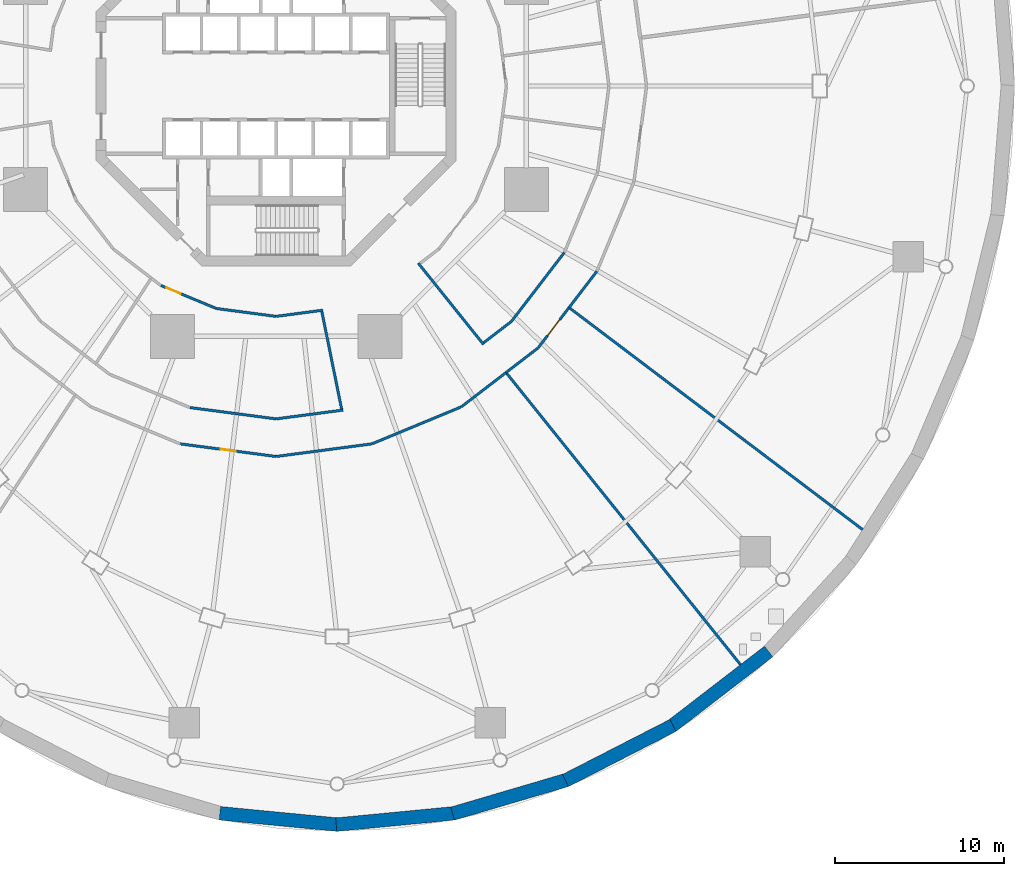
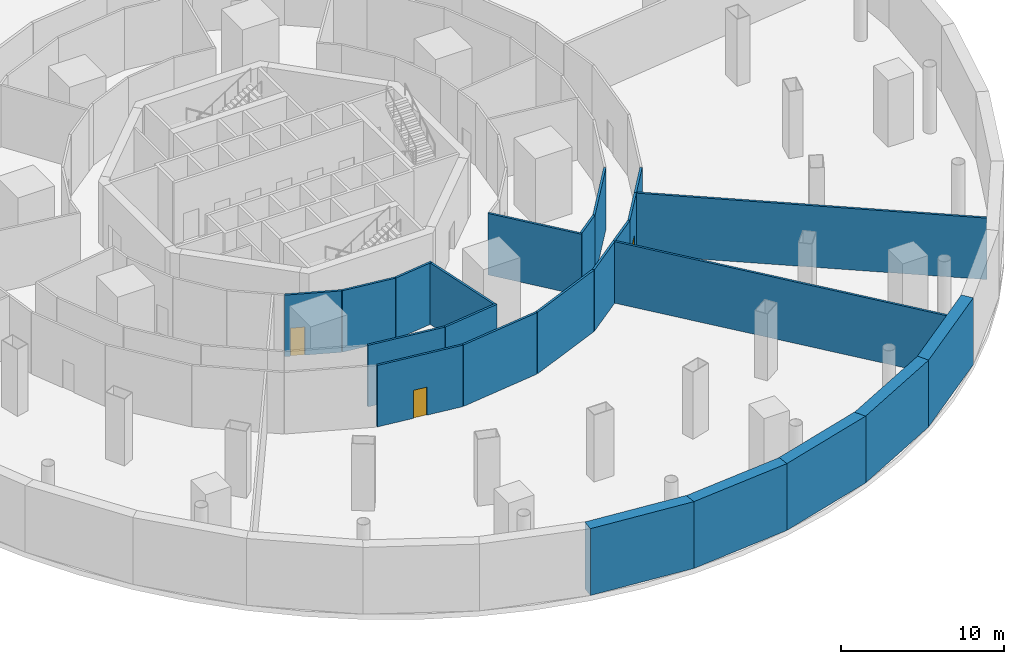
# One storey, part 6 of 14: 23 walls, 3 doors, 3 openings.
"""IFC4 building model written with IfcOpenShell, lengths in metres."""

from ifc_helpers import new_model, si_unit, direction, frame, frame_2d, origin, place, context, subcontext, project, spatial, rectangle, extrude, material, layer, layer_set, type_object, element, fill, save


model = new_model("IFC4")

# Units and contexts
model_context = context("Model", 3, precision=1e-05, world=origin(), true_north=direction((0.0, 1.0)))
body_context = subcontext(model_context, "Body", "Model", "MODEL_VIEW")
ifc_project = project(units=[si_unit("LENGTHUNIT", "METRE"), si_unit("AREAUNIT", "SQUARE_METRE"), si_unit("VOLUMEUNIT", "CUBIC_METRE"), si_unit("PLANEANGLEUNIT", "RADIAN"), si_unit("MASSUNIT", "GRAM", prefix="KILO")], contexts=[model_context])

# Site, building, storey
site_placement = place(None, origin())
site = spatial("IfcSite", under=ifc_project, at=site_placement, CompositionType="ELEMENT")
building_placement = place(site_placement, origin())
building = spatial("IfcBuilding", under=site, at=building_placement, Name="Nagisa Residences", CompositionType="ELEMENT")
storey_placement = place(building_placement, frame((0.0, 0.0, -5.0)))
storey = spatial("IfcBuildingStorey", under=building, at=storey_placement, Name="B1", CompositionType="ELEMENT", Elevation=-5.0)

# Walls
ifc_material_1 = material(Name="Concrete C40", Category="concrete")
ifc_layer_1 = layer(ifc_material_1, 0.800048828125)
ifc_layer_set_1 = layer_set([ifc_layer_1], Name="Basement retaining wall 800")
wall_type_1 = type_object("IfcWallType", Name="Basement retaining wall 800", PredefinedType="SOLIDWALL", material=ifc_layer_set_1)
wall_1_placement = place(storey_placement, frame((29.07958984375, -33.381103515625, 0.0), z_axis=(0.0, 0.0, 1.0), x_axis=(-0.792235092298, -0.610215993343, 0.0)))
element("IfcWall", 1, at=wall_1_placement, inside=storey, type_object=wall_type_1, Name="wall:B1:ret06", PredefinedType="SOLIDWALL", context=body_context, shape_type="SweptSolid", body=[
    extrude(rectangle(XDim=7.237548828125, YDim=0.800048828125, at=frame_2d((3.61865234375, 0.0))), origin(), (0.0, 0.0, 1.0), 5.0),
])
wall_2_placement = place(storey_placement, frame((23.429931640625, -37.744140625, 0.0), z_axis=(0.0, 0.0, 1.0), x_axis=(-0.889762541272, -0.456423728732, 0.0)))
element("IfcWall", 2, at=wall_2_placement, inside=storey, type_object=wall_type_1, Name="wall:B1:ret07", PredefinedType="SOLIDWALL", context=body_context, shape_type="SweptSolid", body=[
    extrude(rectangle(XDim=7.128173828125, YDim=0.800048828125, at=frame_2d((3.56396484375, 0.0))), origin(), (0.0, 0.0, 1.0), 5.0),
])
wall_3_placement = place(storey_placement, frame((17.179931640625, -40.96044921875, 0.0), z_axis=(0.0, 0.0, 1.0), x_axis=(-0.959194279998, -0.282747826197, 0.0)))
element("IfcWall", 3, at=wall_3_placement, inside=storey, type_object=wall_type_1, Name="wall:B1:ret08", PredefinedType="SOLIDWALL", context=body_context, shape_type="SweptSolid", body=[
    extrude(rectangle(XDim=7.0458984375, YDim=0.800048828125, at=frame_2d((3.52294921875, 0.0))), origin(), (0.0, 0.0, 1.0), 5.0),
])
for number, where, z_axis, x_axis, name in (
    (4, (10.51953125, -42.93359375, 0.0), (0.0, 0.0, 1.0), (-0.995401742981, -0.095788152034, 0.0), "wall:B1:ret09"),
    (5, (3.649658203125, -43.604248046875, 0.0), (0.0, 0.0, 1.0), (-0.995401742981, 0.095788152034, 0.0), "wall:B1:ret10"),
):
    element("IfcWall", number, at=place(storey_placement, frame(where, z_axis=z_axis, x_axis=x_axis)), inside=storey, type_object=wall_type_1, Name=name, PredefinedType="SOLIDWALL", context=body_context, shape_type="SweptSolid", body=[
        extrude(rectangle(XDim=7.00146484375, YDim=0.800048828125, at=frame_2d((3.500732421875, 0.0))), origin(), (0.0, 0.0, 1.0), 5.0),
    ])
ifc_material_2 = material(Name="Gypsum board on steel studs", Category="steel")
ifc_layer_2 = layer(ifc_material_2, 0.14990234375)
ifc_layer_set_2 = layer_set([ifc_layer_2], Name="Room partition EI60 150")
wall_type_2 = type_object("IfcWallType", Name="Room partition EI60 150", PredefinedType="PARTITIONING", material=ifc_layer_set_2)
wall_4_placement = place(storey_placement, frame((-5.074462890625, -18.983642578125, 0.0), z_axis=(0.0, 0.0, 1.0), x_axis=(0.991445342988, -0.130522533942, 0.0)))
element("IfcWall", 6, at=wall_4_placement, inside=storey, type_object=wall_type_2, Name="wall:B1:am039", PredefinedType="PARTITIONING", context=body_context, shape_type="SweptSolid", body=[
    extrude(rectangle(XDim=5.1064453125, YDim=0.14990234375, at=frame_2d((2.55322265625, 0.0))), origin(), (0.0, 0.0, 1.0), 4.60009765625),
])

# Wall, opening, door
wall_5_placement = place(storey_placement, frame((-3.53076171875, -13.132080078125, 0.0), z_axis=(0.0, 0.0, 1.0), x_axis=(-0.923881838111, 0.382677866108, 0.0)))
wall_5 = element("IfcWall", 7, at=wall_5_placement, inside=storey, type_object=wall_type_2, Name="wall:B1:am041", PredefinedType="PARTITIONING", context=body_context, shape_type="SweptSolid", body=[
    extrude(rectangle(XDim=3.52685546875, YDim=0.14990234375, at=frame_2d((1.763427734375, 0.0))), origin(), (0.0, 0.0, 1.0), 4.60009765625),
])
opening_1_placement = place(wall_5_placement, frame((2.281005859375, 0.0, 0.0)))
opening_1 = element("IfcOpeningElement", 8, at=opening_1_placement, cuts=wall_5, Name="Opening B1-A05", PredefinedType="OPENING", context=body_context, shape_type="SweptSolid", body=[
    extrude(rectangle(XDim=0.89990234375, YDim=2.10009765625, at=frame_2d((0.449951171875, 1.050048828125))), frame((0.0, 0.0849609375, 0.0), z_axis=(0.0, -1.0, 0.0), x_axis=(1.0, 0.0, 0.0)), (0.0, 0.0, 1.0), 0.169921875),
])
ifc_material_3 = material(Name="Steel fire door", Category="steel")
door_type_1 = type_object("IfcDoorType", Name="Fire door EI30 900x2100 single swing", OperationType="NOTDEFINED", PredefinedType="DOOR", material=ifc_material_3)
door_1_placement = place(opening_1_placement, origin())
door_1 = element("IfcDoor", 9, at=door_1_placement, inside=storey, type_object=door_type_1, Name="Treatment rooms door", OperationType="SINGLE_SWING_RIGHT", OverallHeight=2.10009765625, OverallWidth=0.89990234375, PredefinedType="DOOR", context=body_context, shape_type="SweptSolid", body=[
    extrude(rectangle(XDim=0.89990234375, YDim=2.10009765625, at=frame_2d((0.449951171875, 1.050048828125))), frame((0.0, 0.02490234375, 0.0), z_axis=(0.0, -1.0, 0.0), x_axis=(1.0, 0.0, 0.0)), (0.0, 0.0, 1.0), 0.050048828125),
])
fill(opening_1, door_1)

wall_6_placement = place(storey_placement, frame((-0.01171875, -21.869140625, 0.0), z_axis=(0.0, 0.0, 1.0), x_axis=(-0.991444062143, 0.130532262837, 0.0)))
wall_6 = element("IfcWall", 10, at=wall_6_placement, inside=storey, type_object=wall_type_2, Name="wall:B1:am043", PredefinedType="PARTITIONING", context=body_context, shape_type="SweptSolid", body=[
    extrude(rectangle(XDim=5.685791015625, YDim=0.14990234375, at=frame_2d((2.8427734375, 0.0))), origin(), (0.0, 0.0, 1.0), 4.60009765625),
])
opening_2_placement = place(wall_6_placement, frame((2.392822265625, 0.0, 0.0)))
opening_2 = element("IfcOpeningElement", 11, at=opening_2_placement, cuts=wall_6, Name="Opening B1-A12", PredefinedType="OPENING", context=body_context, shape_type="SweptSolid", body=[
    extrude(rectangle(XDim=0.89990234375, YDim=2.10009765625, at=frame_2d((0.449951171875, 1.050048828125))), frame((0.0, 0.0849609375, 0.0), z_axis=(0.0, -1.0, 0.0), x_axis=(1.0, 0.0, 0.0)), (0.0, 0.0, 1.0), 0.169921875),
])
door_2_placement = place(opening_2_placement, origin())
door_2 = element("IfcDoor", 12, at=door_2_placement, inside=storey, type_object=door_type_1, Name="Treatment product store door", OperationType="SINGLE_SWING_LEFT", OverallHeight=2.10009765625, OverallWidth=0.89990234375, PredefinedType="DOOR", context=body_context, shape_type="SweptSolid", body=[
    extrude(rectangle(XDim=0.89990234375, YDim=2.10009765625, at=frame_2d((0.449951171875, 1.050048828125))), frame((0.0, 0.02490234375, 0.0), z_axis=(0.0, -1.0, 0.0), x_axis=(1.0, 0.0, 0.0)), (0.0, 0.0, 1.0), 0.050048828125),
])
fill(opening_2, door_2)

# Walls
wall_7_placement = place(storey_placement, frame((0.01171875, -19.650146484375, 0.0), z_axis=(0.0, 0.0, 1.0), x_axis=(0.991447196759, 0.13050845198, 0.0)))
element("IfcWall", 13, at=wall_7_placement, inside=storey, type_object=wall_type_2, Name="wall:B1:am044", PredefinedType="PARTITIONING", context=body_context, shape_type="SweptSolid", body=[
    extrude(rectangle(XDim=3.980712890625, YDim=0.14990234375, at=frame_2d((1.990234375, 0.0))), origin(), (0.0, 0.0, 1.0), 4.60009765625),
])
wall_8_placement = place(storey_placement, frame((-0.01171875, -13.598388671875, 0.0), z_axis=(0.0, 0.0, 1.0), x_axis=(-0.991448403586, 0.130499283623, 0.0)))
element("IfcWall", 14, at=wall_8_placement, inside=storey, type_object=wall_type_2, Name="wall:B1:am045", PredefinedType="PARTITIONING", context=body_context, shape_type="SweptSolid", body=[
    extrude(rectangle(XDim=3.526611328125, YDim=0.14990234375, at=frame_2d((1.76318359375, 0.0))), origin(), (0.0, 0.0, 1.0), 4.60009765625),
])
wall_9_placement = place(storey_placement, frame((2.762451171875, -13.236328125, 0.0), z_axis=(0.0, 0.0, 1.0), x_axis=(-0.991448603925, -0.130497761571, 0.0)))
element("IfcWall", 15, at=wall_9_placement, inside=storey, type_object=wall_type_2, Name="wall:B1:am048", PredefinedType="PARTITIONING", context=body_context, shape_type="SweptSolid", body=[
    extrude(rectangle(XDim=2.7744140625, YDim=0.14990234375, at=frame_2d((1.38720703125, 0.0))), origin(), (0.0, 0.0, 1.0), 4.60009765625),
])
wall_10_placement = place(storey_placement, frame((3.869140625, -19.06689453125, 0.0), z_axis=(0.0, 0.0, 1.0), x_axis=(-0.198877500107, 0.980024356815, 0.0)))
element("IfcWall", 16, at=wall_10_placement, inside=storey, type_object=wall_type_2, Name="wall:B1:am050", PredefinedType="PARTITIONING", context=body_context, shape_type="SweptSolid", body=[
    extrude(rectangle(XDim=5.8642578125, YDim=0.14990234375, at=frame_2d((2.93212890625, 0.0))), origin(), (0.0, 0.0, 1.0), 4.60009765625),
])
wall_11_placement = place(storey_placement, frame((5.64892578125, -21.126953125, 0.0), z_axis=(0.0, 0.0, 1.0), x_axis=(-0.991444062143, -0.130532262837, 0.0)))
element("IfcWall", 17, at=wall_11_placement, inside=storey, type_object=wall_type_2, Name="wall:B1:am052", PredefinedType="PARTITIONING", context=body_context, shape_type="SweptSolid", body=[
    extrude(rectangle(XDim=5.685791015625, YDim=0.14990234375, at=frame_2d((2.8427734375, 0.0))), origin(), (0.0, 0.0, 1.0), 4.60009765625),
])
wall_12_placement = place(storey_placement, frame((8.39501953125, -10.45947265625, 0.0), z_axis=(0.0, 0.0, 1.0), x_axis=(0.62590911152, -0.779896008527, 0.0)))
element("IfcWall", 18, at=wall_12_placement, inside=storey, type_object=wall_type_2, Name="wall:B1:am053", PredefinedType="PARTITIONING", context=body_context, shape_type="SweptSolid", body=[
    extrude(rectangle(XDim=6.151611328125, YDim=0.14990234375, at=frame_2d((3.07568359375, 0.0))), origin(), (0.0, 0.0, 1.0), 4.60009765625),
])
wall_13_placement = place(storey_placement, frame((10.92431640625, -18.945068359375, 0.0), z_axis=(0.0, 0.0, 1.0), x_axis=(-0.923876568882, -0.38269058712, 0.0)))
element("IfcWall", 19, at=wall_13_placement, inside=storey, type_object=wall_type_2, Name="wall:B1:am057", PredefinedType="PARTITIONING", context=body_context, shape_type="SweptSolid", body=[
    extrude(rectangle(XDim=5.685546875, YDim=0.14990234375, at=frame_2d((2.8427734375, 0.0))), origin(), (0.0, 0.0, 1.0), 4.60009765625),
])
wall_14_placement = place(storey_placement, frame((12.2578125, -15.15283203125, 0.0), z_axis=(0.0, 0.0, 1.0), x_axis=(0.793344054907, 0.608773529766, 0.0)))
element("IfcWall", 20, at=wall_14_placement, inside=storey, type_object=wall_type_2, Name="wall:B1:am060", PredefinedType="PARTITIONING", context=body_context, shape_type="SweptSolid", body=[
    extrude(rectangle(XDim=2.052978515625, YDim=0.14990234375, at=frame_2d((1.0263671875, 0.0))), origin(), (0.0, 0.0, 1.0), 4.60009765625),
])
wall_15_placement = place(storey_placement, frame((13.57568359375, -16.91455078125, 0.0), z_axis=(0.0, 0.0, 1.0), x_axis=(-0.793343228751, -0.608774606398, 0.0)))
element("IfcWall", 21, at=wall_15_placement, inside=storey, type_object=wall_type_2, Name="wall:B1:am067", PredefinedType="PARTITIONING", context=body_context, shape_type="SweptSolid", body=[
    extrude(rectangle(XDim=3.316162109375, YDim=0.14990234375, at=frame_2d((1.658203125, 0.0))), origin(), (0.0, 0.0, 1.0), 4.60009765625),
])
wall_16_placement = place(storey_placement, frame((13.62255859375, -16.97314453125, 0.0), z_axis=(0.0, 0.0, 1.0), x_axis=(0.625937301781, -0.779873383467, 0.0)))
element("IfcWall", 22, at=wall_16_placement, inside=storey, type_object=wall_type_2, Name="wall:B1:am068", PredefinedType="PARTITIONING", context=body_context, shape_type="SweptSolid", body=[
    extrude(rectangle(XDim=22.03564453125, YDim=0.14990234375, at=frame_2d((11.017822265625, 0.0))), origin(), (0.0, 0.0, 1.0), 4.60009765625),
])
wall_17_placement = place(storey_placement, frame((13.903076171875, -13.886474609375, 0.0), z_axis=(0.0, 0.0, 1.0), x_axis=(0.608760705644, 0.793353895348, 0.0)))
element("IfcWall", 23, at=wall_17_placement, inside=storey, type_object=wall_type_2, Name="wall:B1:am070", PredefinedType="PARTITIONING", context=body_context, shape_type="SweptSolid", body=[
    extrude(rectangle(XDim=5.1064453125, YDim=0.14990234375, at=frame_2d((2.55322265625, 0.0))), origin(), (0.0, 0.0, 1.0), 4.60009765625),
])
wall_18_placement = place(storey_placement, frame((15.45556640625, -15.47216796875, 0.0), z_axis=(0.0, 0.0, 1.0), x_axis=(-0.793374130919, -0.608734333178, 0.0)))
element("IfcWall", 24, at=wall_18_placement, inside=storey, type_object=wall_type_2, Name="wall:B1:am072", PredefinedType="PARTITIONING", context=body_context, shape_type="SweptSolid", body=[
    extrude(rectangle(XDim=2.369384765625, YDim=0.14990234375, at=frame_2d((1.1845703125, 0.0))), origin(), (0.0, 0.0, 1.0), 4.60009765625),
])

# Wall, opening, door
wall_19_placement = place(storey_placement, frame((17.294921875, -13.080078125, 0.0), z_axis=(0.0, 0.0, 1.0), x_axis=(-0.608756728417, -0.79335694716, 0.0)))
wall_19 = element("IfcWall", 25, at=wall_19_placement, inside=storey, type_object=wall_type_2, Name="wall:B1:am075", PredefinedType="PARTITIONING", context=body_context, shape_type="SweptSolid", body=[
    extrude(rectangle(XDim=2.994140625, YDim=0.14990234375, at=frame_2d((1.4970703125, 0.0))), origin(), (0.0, 0.0, 1.0), 4.60009765625),
])
opening_3_placement = place(wall_19_placement, frame((0.903076171875, 0.0, 0.0)))
opening_3 = element("IfcOpeningElement", 26, at=opening_3_placement, cuts=wall_19, Name="Opening B1-A13", PredefinedType="OPENING", context=body_context, shape_type="SweptSolid", body=[
    extrude(rectangle(XDim=1.199951171875, YDim=2.10009765625, at=frame_2d((0.60009765625, 1.050048828125))), frame((0.0, 0.0849609375, 0.0), z_axis=(0.0, -1.0, 0.0), x_axis=(1.0, 0.0, 0.0)), (0.0, 0.0, 1.0), 0.169921875),
])
ifc_material_4 = material(Name="Steel fire door", Category="steel")
door_type_2 = type_object("IfcDoorType", Name="Fire door EI30 1200x2100 single swing", OperationType="NOTDEFINED", PredefinedType="DOOR", material=ifc_material_4)
door_3_placement = place(opening_3_placement, frame((1.199951171875, 0.0, 0.0), x_axis=(-1.0, 0.0, 0.0)))
door_3 = element("IfcDoor", 27, at=door_3_placement, inside=storey, type_object=door_type_2, Name="Staff changing and lockers door", OperationType="SINGLE_SWING_LEFT", OverallHeight=2.10009765625, OverallWidth=1.199951171875, PredefinedType="DOOR", context=body_context, shape_type="SweptSolid", body=[
    extrude(rectangle(XDim=1.199951171875, YDim=2.10009765625, at=frame_2d((0.60009765625, 1.050048828125))), frame((0.0, 0.02490234375, 0.0), z_axis=(0.0, -1.0, 0.0), x_axis=(1.0, 0.0, 0.0)), (0.0, 0.0, 1.0), 0.050048828125),
])
fill(opening_3, door_3)

# Walls
wall_20_placement = place(storey_placement, frame((17.354736328125, -13.12548828125, 0.0), z_axis=(0.0, 0.0, 1.0), x_axis=(0.797578767878, -0.603214811681, 0.0)))
element("IfcWall", 28, at=wall_20_placement, inside=storey, type_object=wall_type_2, Name="wall:B1:am076", PredefinedType="PARTITIONING", context=body_context, shape_type="SweptSolid", body=[
    extrude(rectangle(XDim=21.656494140625, YDim=0.14990234375, at=frame_2d((10.828125, 0.0))), origin(), (0.0, 0.0, 1.0), 4.60009765625),
])
wall_21_placement = place(storey_placement, frame((18.933349609375, -10.94482421875, 0.0), z_axis=(0.0, 0.0, 1.0), x_axis=(-0.608759040366, -0.793355173155, 0.0)))
element("IfcWall", 29, at=wall_21_placement, inside=storey, type_object=wall_type_2, Name="wall:B1:am077", PredefinedType="PARTITIONING", context=body_context, shape_type="SweptSolid", body=[
    extrude(rectangle(XDim=2.69140625, YDim=0.14990234375, at=frame_2d((1.345703125, 0.0))), origin(), (0.0, 0.0, 1.0), 4.60009765625),
])

save(model, "model.ifc")
